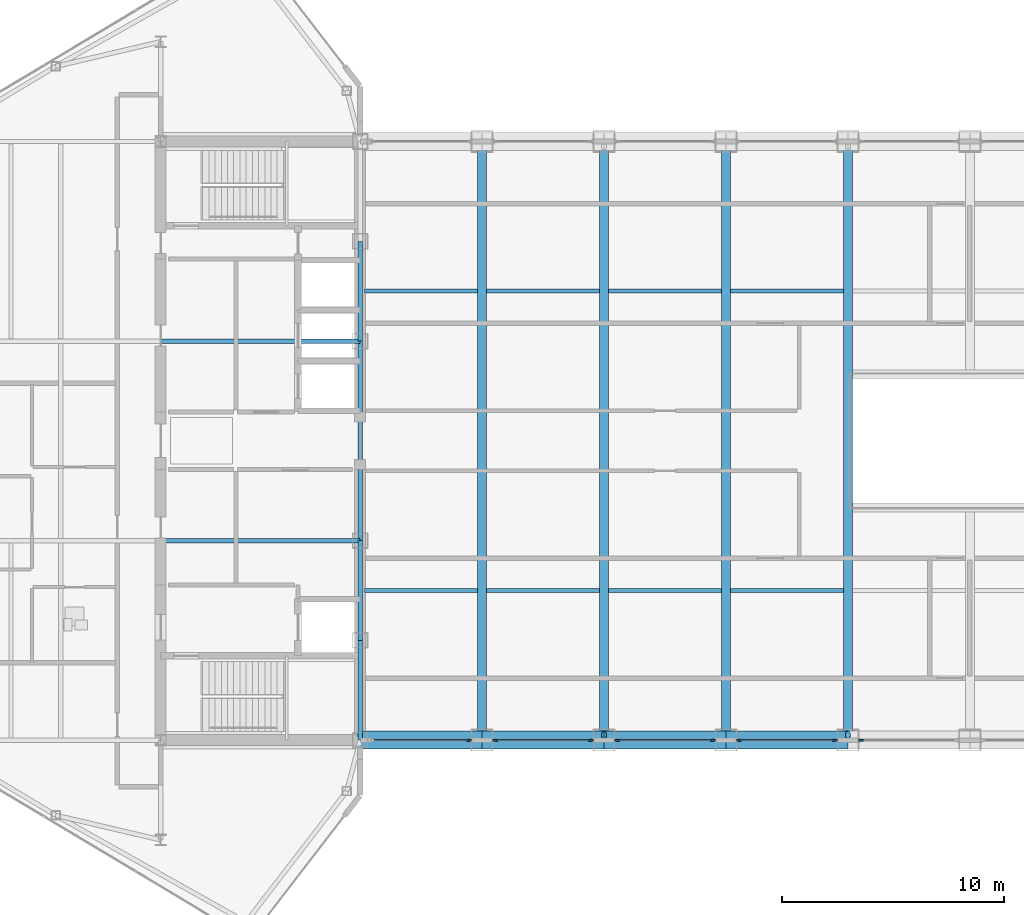
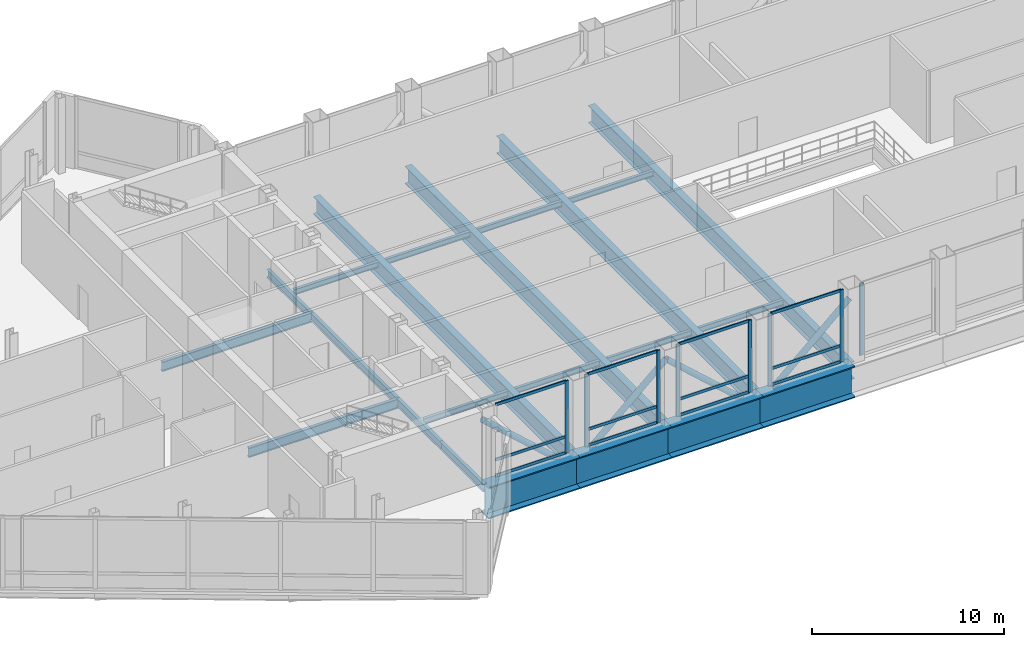
# One storey, part 10 of 30: 24 members, 22 beams, 5 elements without a shape of their own.
"""IFC4 building model written with IfcOpenShell, lengths in metres."""

from ifc_helpers import new_model, si_unit, direction, frame, origin, origin_2d, place, context, subcontext, project, spatial, rectangle, hollow_circle, i_section, extrude, source, transform, mapped, material, layer, layer_set, material_profile, profile_set, type_object, type_shapes, element, aggregate, save


model = new_model("IFC4")

# Units and contexts
model_context = context("Model", 3, precision=1e-05, world=origin(), true_north=direction((0.0, 1.0)))
body_context = subcontext(model_context, "Body", "Model", "MODEL_VIEW")
ifc_project = project(units=[si_unit("LENGTHUNIT", "METRE"), si_unit("AREAUNIT", "SQUARE_METRE"), si_unit("VOLUMEUNIT", "CUBIC_METRE"), si_unit("PLANEANGLEUNIT", "RADIAN"), si_unit("MASSUNIT", "GRAM", prefix="KILO")], contexts=[model_context])

# Site, building, storey
site_placement = place(None, origin())
site = spatial("IfcSite", under=ifc_project, at=site_placement, CompositionType="ELEMENT")
building_placement = place(site_placement, origin())
building = spatial("IfcBuilding", under=site, at=building_placement, Name="Seokmaru Belvedere", CompositionType="ELEMENT")
storey_placement = place(building_placement, frame((0.0, 0.0, 234.60009765625)))
storey = spatial("IfcBuildingStorey", under=building, at=storey_placement, Name="L62", CompositionType="ELEMENT", Elevation=234.60009765625)

# Beams
ifc_material_1 = material(Name="Steel SM355 (355 MPa)", Category="steel")
ifc_material_profile_1 = material_profile(ifc_material_1, i_section(OverallWidth=0.199951171875, OverallDepth=0.5, WebThickness=0.010009765625, FlangeThickness=0.01611328125, at=origin_2d()), Name="H-500x200x10x16")
ifc_profile_set_1 = profile_set([ifc_material_profile_1], Name="Steel SM355 (355 MPa)")
beam_type_1 = type_object("IfcBeamType", Name="Perimeter Spandrel Beam H-500", PredefinedType="SPANDREL", material=ifc_profile_set_1)
shared_shape_1 = source(origin(), body_context, "Body", "SweptSolid", [
    extrude(i_section(OverallWidth=0.199951171875, OverallDepth=0.5, WebThickness=0.010009765625, FlangeThickness=0.01611328125, at=origin_2d()), origin(), (0.0, 0.0, 1.0), 4.5),
])
for number, where, z_axis, x_axis, name in (
    (1, (-27.5, -13.5, -0.510009765625), (0.0, 1.0, 0.0), (-1.0, 0.0, 0.0), "L62 W Portal Spine Spandrel 1"),
    (2, (-27.5, -9.0, -0.510009765625), (0.0, 1.0, 0.0), (-1.0, 0.0, 0.0), "L62 W Portal Spine Spandrel 2"),
    (3, (-27.5, 4.5, -0.510009765625), (0.0, 1.0, 0.0), (-1.0, 0.0, 0.0), "L62 W Portal Spine Spandrel 4"),
):
    element("IfcBeam", number, at=place(storey_placement, frame(where, z_axis=z_axis, x_axis=x_axis)), inside=storey, type_object=beam_type_1, Name=name, PredefinedType="SPANDREL", context=body_context, shape_type="MappedRepresentation", body=[
        mapped(shared_shape_1, transform((0.0, 0.0, 0.0), scale=1.0)),
    ])
shared_shape_2 = source(origin(), body_context, "Body", "SweptSolid", [
    extrude(i_section(OverallWidth=0.199951171875, OverallDepth=0.5, WebThickness=0.010009765625, FlangeThickness=0.01611328125, at=origin_2d()), origin(), (0.0, 0.0, 1.0), 9.0),
])
type_shapes(beam_type_1, [shared_shape_1, shared_shape_2])
beam_placement = place(storey_placement, frame((-27.5, -4.5, -0.510009765625), z_axis=(0.0, 1.0, 0.0), x_axis=(-1.0, 0.0, 0.0)))
element("IfcBeam", 4, at=beam_placement, inside=storey, type_object=beam_type_1, Name="L62 W Portal Spine Spandrel 3", PredefinedType="SPANDREL", context=body_context, shape_type="MappedRepresentation", body=[
    mapped(shared_shape_2, transform((0.0, 0.0, 0.0), scale=1.0)),
])
ifc_material_profile_2 = material_profile(ifc_material_1, i_section(OverallWidth=0.199951171875, OverallDepth=0.60009765625, WebThickness=0.010986328125, FlangeThickness=0.01708984375, at=origin_2d()), Name="H-600x200x11x17")
ifc_profile_set_2 = profile_set([ifc_material_profile_2], Name="Steel SM355 (355 MPa)")
beam_type_2 = type_object("IfcBeamType", Name="Primary Floor Girder H-600", PredefinedType="BEAM", material=ifc_profile_set_2)
shared_shape_3 = source(origin(), body_context, "Body", "SweptSolid", [
    extrude(i_section(OverallWidth=0.199951171875, OverallDepth=0.60009765625, WebThickness=0.010986328125, FlangeThickness=0.01708984375, at=origin_2d()), origin(), (0.0, 0.0, 1.0), 9.0),
])
type_shapes(beam_type_2, [shared_shape_3])
for number, where, z_axis, x_axis, name in (
    (5, (-36.5, -4.5, -0.56005859375), (1.0, 0.0, 0.0), (0.0, 1.0, 0.0), "L62 W Core Tie Girder 2"),
    (6, (-36.5, 4.5, -0.56005859375), (1.0, 0.0, 0.0), (0.0, 1.0, 0.0), "L62 W Core Tie Girder 3"),
):
    element("IfcBeam", number, at=place(storey_placement, frame(where, z_axis=z_axis, x_axis=x_axis)), inside=storey, type_object=beam_type_2, Name=name, PredefinedType="BEAM", context=body_context, shape_type="MappedRepresentation", body=[
        mapped(shared_shape_3, transform((0.0, 0.0, 0.0), scale=1.0)),
    ])
ifc_material_2 = material(Name="Steel HSA650 (650 MPa)", Category="steel")
ifc_material_profile_3 = material_profile(ifc_material_2, i_section(OverallWidth=0.800048828125, OverallDepth=2.0, WebThickness=0.0400390625, FlangeThickness=0.070068359375, at=origin_2d()), Name="BH-2000x800x40x70")
ifc_profile_set_3 = profile_set([ifc_material_profile_3], Name="Steel HSA650 (650 MPa)")
beam_type_3 = type_object("IfcBeamType", Name="Sky-Gate Transfer Truss Chord Girder BH-2000", PredefinedType="BEAM", material=ifc_profile_set_3)
shared_shape_4 = source(origin(), body_context, "Body", "SweptSolid", [
    extrude(i_section(OverallWidth=0.800048828125, OverallDepth=2.0, WebThickness=0.0400390625, FlangeThickness=0.070068359375, at=origin_2d()), origin(), (0.0, 0.0, 1.0), 5.5),
])
type_shapes(beam_type_3, [shared_shape_4])
for number, where, z_axis, x_axis, name in (
    (7, (-27.5, -13.5, -1.260009765625), (1.0, 0.0, 0.0), (0.0, 1.0, 0.0), "L62 Sky-Gate Transfer Truss Chord S-02"),
    (8, (-22.0, -13.5, -1.260009765625), (1.0, 0.0, 0.0), (0.0, 1.0, 0.0), "L62 Sky-Gate Transfer Truss Chord S-03"),
    (9, (-16.5, -13.5, -1.260009765625), (1.0, 0.0, 0.0), (0.0, 1.0, 0.0), "L62 Sky-Gate Transfer Truss Chord S-04"),
    (10, (-11.0, -13.5, -1.260009765625), (1.0, 0.0, 0.0), (0.0, 1.0, 0.0), "L62 Sky-Gate Transfer Truss Chord S-05"),
):
    element("IfcBeam", number, at=place(storey_placement, frame(where, z_axis=z_axis, x_axis=x_axis)), inside=storey, type_object=beam_type_3, Name=name, PredefinedType="BEAM", context=body_context, shape_type="MappedRepresentation", body=[
        mapped(shared_shape_4, transform((0.0, 0.0, 0.0), scale=1.0)),
    ])
ifc_material_profile_4 = material_profile(ifc_material_1, i_section(OverallWidth=0.39990234375, OverallDepth=1.10009765625, WebThickness=0.02001953125, FlangeThickness=0.033935546875, at=origin_2d()), Name="BH-1100x400x20x34")
ifc_profile_set_4 = profile_set([ifc_material_profile_4], Name="Steel SM355 (355 MPa)")
beam_type_4 = type_object("IfcBeamType", Name="Sky-Gate Transverse Girder BH-1100", PredefinedType="BEAM", material=ifc_profile_set_4)
shared_shape_5 = source(origin(), body_context, "Body", "SweptSolid", [
    extrude(i_section(OverallWidth=0.39990234375, OverallDepth=1.10009765625, WebThickness=0.02001953125, FlangeThickness=0.033935546875, at=origin_2d()), origin(), (0.0, 0.0, 1.0), 27.0),
])
type_shapes(beam_type_4, [shared_shape_5])
for number, where, z_axis, x_axis, name in (
    (11, (-22.0, -13.5, -0.81005859375), (0.0, 1.0, 0.0), (-1.0, 0.0, 0.0), "L62 Sky-Gate Transverse Girder 01"),
    (12, (-16.5, -13.5, -0.81005859375), (0.0, 1.0, 0.0), (-1.0, 0.0, 0.0), "L62 Sky-Gate Transverse Girder 02"),
    (13, (-11.0, -13.5, -0.81005859375), (0.0, 1.0, 0.0), (-1.0, 0.0, 0.0), "L62 Sky-Gate Transverse Girder 03"),
    (14, (-5.5, -13.5, -0.81005859375), (0.0, 1.0, 0.0), (-1.0, 0.0, 0.0), "L62 Sky-Gate Transverse Girder 04"),
):
    element("IfcBeam", number, at=place(storey_placement, frame(where, z_axis=z_axis, x_axis=x_axis)), inside=storey, type_object=beam_type_4, Name=name, PredefinedType="BEAM", context=body_context, shape_type="MappedRepresentation", body=[
        mapped(shared_shape_5, transform((0.0, 0.0, 0.0), scale=1.0)),
    ])
ifc_material_profile_5 = material_profile(ifc_material_1, i_section(OverallWidth=0.175048828125, OverallDepth=0.35009765625, WebThickness=0.007080078125, FlangeThickness=0.010986328125, at=origin_2d()), Name="H-350x175x7x11")
ifc_profile_set_5 = profile_set([ifc_material_profile_5], Name="Steel SM355 (355 MPa)")
beam_type_5 = type_object("IfcBeamType", Name="Secondary Floor Joist H-300", PredefinedType="JOIST", material=ifc_profile_set_5)
shared_shape_6 = source(origin(), body_context, "Body", "SweptSolid", [
    extrude(i_section(OverallWidth=0.175048828125, OverallDepth=0.35009765625, WebThickness=0.007080078125, FlangeThickness=0.010986328125, at=origin_2d()), origin(), (0.0, 0.0, 1.0), 5.08984375),
])
type_shapes(beam_type_5, [shared_shape_6])
for number, where, z_axis, x_axis, name in (
    (15, (-27.294921875, -6.75, -0.43505859375), (1.0, 0.0, 0.0), (0.0, 1.0, 0.0), "L62 Sky-Gate Secondary Joist S-01"),
    (16, (-21.794921875, -6.75, -0.43505859375), (1.0, 0.0, 0.0), (0.0, 1.0, 0.0), "L62 Sky-Gate Secondary Joist S-02"),
    (17, (-16.294921875, -6.75, -0.43505859375), (1.0, 0.0, 0.0), (0.0, 1.0, 0.0), "L62 Sky-Gate Secondary Joist S-03"),
    (18, (-10.794921875, -6.75, -0.43505859375), (1.0, 0.0, 0.0), (0.0, 1.0, 0.0), "L62 Sky-Gate Secondary Joist S-04"),
    (19, (-27.294921875, 6.75, -0.43505859375), (1.0, 0.0, 0.0), (0.0, 1.0, 0.0), "L62 Sky-Gate Secondary Joist N-01"),
    (20, (-21.794921875, 6.75, -0.43505859375), (1.0, 0.0, 0.0), (0.0, 1.0, 0.0), "L62 Sky-Gate Secondary Joist N-02"),
    (21, (-16.294921875, 6.75, -0.43505859375), (1.0, 0.0, 0.0), (0.0, 1.0, 0.0), "L62 Sky-Gate Secondary Joist N-03"),
    (22, (-10.794921875, 6.75, -0.43505859375), (1.0, 0.0, 0.0), (0.0, 1.0, 0.0), "L62 Sky-Gate Secondary Joist N-04"),
):
    element("IfcBeam", number, at=place(storey_placement, frame(where, z_axis=z_axis, x_axis=x_axis)), inside=storey, type_object=beam_type_5, Name=name, PredefinedType="JOIST", context=body_context, shape_type="MappedRepresentation", body=[
        mapped(shared_shape_6, transform((0.0, 0.0, 0.0), scale=1.0)),
    ])

# Members
ifc_material_profile_6 = material_profile(ifc_material_2, hollow_circle(Radius=0.177734375, WallThickness=0.0126953125, at=origin_2d()), Name="CHS-355.6x12.7")
ifc_profile_set_6 = profile_set([ifc_material_profile_6], Name="Steel HSA650 (650 MPa)")
member_type_1 = type_object("IfcMemberType", Name="Sky-Gate Transfer Truss Secondary Brace CHS-356", PredefinedType="BRACE", material=ifc_profile_set_6)
shared_shape_7 = source(origin(), body_context, "Body", "SweptSolid", [
    extrude(hollow_circle(Radius=0.177734375, WallThickness=0.0126953125, at=origin_2d()), origin(), (0.0, 0.0, 1.0), 7.392822265625),
])
type_shapes(member_type_1, [shared_shape_7])
for number, where, z_axis, x_axis, name in (
    (23, (-27.5, -13.27099609375, 3.679931640625), (0.743970307126, 0.0, -0.668212677308), (0.0, 1.0, 0.0), "L62 Sky-Gate Transfer Truss Web Diagonal S-01"),
    (24, (-22.0, -13.27099609375, -1.260009765625), (0.743970307126, 0.0, 0.668212677308), (0.0, 1.0, 0.0), "L62 Sky-Gate Transfer Truss Web Diagonal S-02"),
    (25, (-16.5, -13.27099609375, 3.679931640625), (0.743970307126, 0.0, -0.668212677308), (0.0, 1.0, 0.0), "L62 Sky-Gate Transfer Truss Web Diagonal S-03"),
    (26, (-11.0, -13.27099609375, -1.260009765625), (0.743970307126, 0.0, 0.668212677308), (0.0, 1.0, 0.0), "L62 Sky-Gate Transfer Truss Web Diagonal S-04"),
):
    element("IfcMember", number, at=place(storey_placement, frame(where, z_axis=z_axis, x_axis=x_axis)), inside=storey, type_object=member_type_1, Name=name, PredefinedType="BRACE", context=body_context, shape_type="MappedRepresentation", body=[
        mapped(shared_shape_7, transform((0.0, 0.0, 0.0), scale=1.0)),
    ])

# Curtain wall, members
ifc_material_3 = material(Name="Bronze Triple Insulating Glass", Category="glass")
ifc_layer = layer(ifc_material_3, 0.219970703125)
ifc_layer_set = layer_set([ifc_layer], Name="Bronze Triple Insulating Glass")
curtain_wall_type = type_object("IfcCurtainWallType", Name="Sky-Gate Bridge Panorama Curtain Wall System CW-6", PredefinedType="NOTDEFINED", material=ifc_layer_set)
curtain_wall_1_placement = place(storey_placement, origin())
curtain_wall_1 = element("IfcCurtainWall", 27, at=curtain_wall_1_placement, inside=storey, type_object=curtain_wall_type, Name="L62 Curtain Wall BR_S01", PredefinedType="NOTDEFINED")
ifc_material_4 = material(Name="Anodised Bronze Aluminium", Category="aluminium")
ifc_material_profile_7 = material_profile(ifc_material_4, rectangle(XDim=0.074951171875, YDim=0.179931640625, at=origin_2d()), Name="CW-T-75x180")
ifc_profile_set_7 = profile_set([ifc_material_profile_7], Name="Anodised Bronze Aluminium")
member_type_2 = type_object("IfcMemberType", Name="Bronze Unitised Transom 75x180", PredefinedType="USERDEFINED", material=ifc_profile_set_7)
shared_shape_8 = source(origin(), body_context, "Body", "SweptSolid", [
    extrude(rectangle(XDim=0.074951171875, YDim=0.179931640625, at=origin_2d()), origin(), (0.0, 0.0, 1.0), 4.240234375),
])
type_shapes(member_type_2, [shared_shape_8])
member_1_placement = place(storey_placement, frame((-26.8701171875, -13.5, 0.037353515625), z_axis=(1.0, 0.0, 0.0), x_axis=(0.0, 1.0, 0.0)))
member_1 = element("IfcMember", 28, at=member_1_placement, type_object=member_type_2, Name="CW:L62:BR_S01 Continuous Transom 1", ObjectType="TRANSOM", PredefinedType="USERDEFINED", context=body_context, shape_type="MappedRepresentation", body=[
    mapped(shared_shape_8, transform((0.0, 0.0, 0.0), scale=1.0)),
])
member_2_placement = place(storey_placement, frame((-26.8701171875, -13.5, 4.54248046875), z_axis=(1.0, 0.0, 0.0), x_axis=(0.0, 1.0, 0.0)))
member_2 = element("IfcMember", 29, at=member_2_placement, type_object=member_type_2, Name="CW:L62:BR_S01 Continuous Transom 2", ObjectType="TRANSOM", PredefinedType="USERDEFINED", context=body_context, shape_type="MappedRepresentation", body=[
    mapped(shared_shape_8, transform((0.0, 0.0, 0.0), scale=1.0)),
])
member_3_placement = place(storey_placement, frame((-26.8701171875, -13.5, 1.0498046875), z_axis=(1.0, 0.0, 0.0), x_axis=(0.0, 1.0, 0.0)))
member_3 = element("IfcMember", 30, at=member_3_placement, type_object=member_type_2, Name="CW:L62:BR_S01 Spandrel Transom 1", ObjectType="TRANSOM", PredefinedType="USERDEFINED", context=body_context, shape_type="MappedRepresentation", body=[
    mapped(shared_shape_8, transform((0.0, 0.0, 0.0), scale=1.0)),
])

curtain_wall_2_placement = place(storey_placement, origin())
curtain_wall_2 = element("IfcCurtainWall", 31, at=curtain_wall_2_placement, inside=storey, type_object=curtain_wall_type, Name="L62 Curtain Wall BR_S02", PredefinedType="NOTDEFINED")
member_4_placement = place(storey_placement, frame((-21.3701171875, -13.5, 0.037353515625), z_axis=(1.0, 0.0, 0.0), x_axis=(0.0, 1.0, 0.0)))
member_4 = element("IfcMember", 32, at=member_4_placement, type_object=member_type_2, Name="CW:L62:BR_S02 Continuous Transom 1", ObjectType="TRANSOM", PredefinedType="USERDEFINED", context=body_context, shape_type="MappedRepresentation", body=[
    mapped(shared_shape_8, transform((0.0, 0.0, 0.0), scale=1.0)),
])
member_5_placement = place(storey_placement, frame((-21.3701171875, -13.5, 4.54248046875), z_axis=(1.0, 0.0, 0.0), x_axis=(0.0, 1.0, 0.0)))
member_5 = element("IfcMember", 33, at=member_5_placement, type_object=member_type_2, Name="CW:L62:BR_S02 Continuous Transom 2", ObjectType="TRANSOM", PredefinedType="USERDEFINED", context=body_context, shape_type="MappedRepresentation", body=[
    mapped(shared_shape_8, transform((0.0, 0.0, 0.0), scale=1.0)),
])
member_6_placement = place(storey_placement, frame((-21.3701171875, -13.5, 1.0498046875), z_axis=(1.0, 0.0, 0.0), x_axis=(0.0, 1.0, 0.0)))
member_6 = element("IfcMember", 34, at=member_6_placement, type_object=member_type_2, Name="CW:L62:BR_S02 Spandrel Transom 1", ObjectType="TRANSOM", PredefinedType="USERDEFINED", context=body_context, shape_type="MappedRepresentation", body=[
    mapped(shared_shape_8, transform((0.0, 0.0, 0.0), scale=1.0)),
])

curtain_wall_3_placement = place(storey_placement, origin())
curtain_wall_3 = element("IfcCurtainWall", 35, at=curtain_wall_3_placement, inside=storey, type_object=curtain_wall_type, Name="L62 Curtain Wall BR_S03", PredefinedType="NOTDEFINED")
member_7_placement = place(storey_placement, frame((-15.8701171875, -13.5, 0.037353515625), z_axis=(1.0, 0.0, 0.0), x_axis=(0.0, 1.0, 0.0)))
member_7 = element("IfcMember", 36, at=member_7_placement, type_object=member_type_2, Name="CW:L62:BR_S03 Continuous Transom 1", ObjectType="TRANSOM", PredefinedType="USERDEFINED", context=body_context, shape_type="MappedRepresentation", body=[
    mapped(shared_shape_8, transform((0.0, 0.0, 0.0), scale=1.0)),
])
member_8_placement = place(storey_placement, frame((-15.8701171875, -13.5, 4.54248046875), z_axis=(1.0, 0.0, 0.0), x_axis=(0.0, 1.0, 0.0)))
member_8 = element("IfcMember", 37, at=member_8_placement, type_object=member_type_2, Name="CW:L62:BR_S03 Continuous Transom 2", ObjectType="TRANSOM", PredefinedType="USERDEFINED", context=body_context, shape_type="MappedRepresentation", body=[
    mapped(shared_shape_8, transform((0.0, 0.0, 0.0), scale=1.0)),
])
member_9_placement = place(storey_placement, frame((-15.8701171875, -13.5, 1.0498046875), z_axis=(1.0, 0.0, 0.0), x_axis=(0.0, 1.0, 0.0)))
member_9 = element("IfcMember", 38, at=member_9_placement, type_object=member_type_2, Name="CW:L62:BR_S03 Spandrel Transom 1", ObjectType="TRANSOM", PredefinedType="USERDEFINED", context=body_context, shape_type="MappedRepresentation", body=[
    mapped(shared_shape_8, transform((0.0, 0.0, 0.0), scale=1.0)),
])

curtain_wall_4_placement = place(storey_placement, origin())
curtain_wall_4 = element("IfcCurtainWall", 39, at=curtain_wall_4_placement, inside=storey, type_object=curtain_wall_type, Name="L62 Curtain Wall BR_S04", PredefinedType="NOTDEFINED")
member_10_placement = place(storey_placement, frame((-10.3701171875, -13.5, 0.037353515625), z_axis=(1.0, 0.0, 0.0), x_axis=(0.0, 1.0, 0.0)))
member_10 = element("IfcMember", 40, at=member_10_placement, type_object=member_type_2, Name="CW:L62:BR_S04 Continuous Transom 1", ObjectType="TRANSOM", PredefinedType="USERDEFINED", context=body_context, shape_type="MappedRepresentation", body=[
    mapped(shared_shape_8, transform((0.0, 0.0, 0.0), scale=1.0)),
])
member_11_placement = place(storey_placement, frame((-10.3701171875, -13.5, 4.54248046875), z_axis=(1.0, 0.0, 0.0), x_axis=(0.0, 1.0, 0.0)))
member_11 = element("IfcMember", 41, at=member_11_placement, type_object=member_type_2, Name="CW:L62:BR_S04 Continuous Transom 2", ObjectType="TRANSOM", PredefinedType="USERDEFINED", context=body_context, shape_type="MappedRepresentation", body=[
    mapped(shared_shape_8, transform((0.0, 0.0, 0.0), scale=1.0)),
])
member_12_placement = place(storey_placement, frame((-10.3701171875, -13.5, 1.0498046875), z_axis=(1.0, 0.0, 0.0), x_axis=(0.0, 1.0, 0.0)))
member_12 = element("IfcMember", 42, at=member_12_placement, type_object=member_type_2, Name="CW:L62:BR_S04 Spandrel Transom 1", ObjectType="TRANSOM", PredefinedType="USERDEFINED", context=body_context, shape_type="MappedRepresentation", body=[
    mapped(shared_shape_8, transform((0.0, 0.0, 0.0), scale=1.0)),
])

# Member
ifc_material_profile_8 = material_profile(ifc_material_4, rectangle(XDim=0.080078125, YDim=0.219970703125, at=origin_2d()), Name="CW-M-80x220")
ifc_profile_set_8 = profile_set([ifc_material_profile_8], Name="Anodised Bronze Aluminium")
member_type_3 = type_object("IfcMemberType", Name="Bronze Unitised Mullion 80x220", PredefinedType="MULLION", material=ifc_profile_set_8)
shared_shape_9 = source(origin(), body_context, "Body", "SweptSolid", [
    extrude(rectangle(XDim=0.080078125, YDim=0.219970703125, at=origin_2d()), origin(), (0.0, 0.0, 1.0), 4.579833984375),
])
type_shapes(member_type_3, [shared_shape_9])
member_13_placement = place(storey_placement, frame((-22.590087890625, -13.5, 0.0), z_axis=(0.0, 0.0, 1.0), x_axis=(0.0, 1.0, 0.0)))
member_13 = element("IfcMember", 43, at=member_13_placement, type_object=member_type_3, Name="CW:L62:BR_S01 Mullion 2", PredefinedType="MULLION", context=body_context, shape_type="MappedRepresentation", body=[
    mapped(shared_shape_9, transform((0.0, 0.0, 0.0), scale=1.0)),
])

aggregate(curtain_wall_1, [member_13, member_1, member_2, member_3])

member_14_placement = place(storey_placement, frame((-21.409912109375, -13.5, 0.0), z_axis=(0.0, 0.0, 1.0), x_axis=(0.0, 1.0, 0.0)))
member_14 = element("IfcMember", 44, at=member_14_placement, type_object=member_type_3, Name="CW:L62:BR_S02 Mullion 1", PredefinedType="MULLION", context=body_context, shape_type="MappedRepresentation", body=[
    mapped(shared_shape_9, transform((0.0, 0.0, 0.0), scale=1.0)),
])

member_15_placement = place(storey_placement, frame((-17.090087890625, -13.5, 0.0), z_axis=(0.0, 0.0, 1.0), x_axis=(0.0, 1.0, 0.0)))
member_15 = element("IfcMember", 45, at=member_15_placement, type_object=member_type_3, Name="CW:L62:BR_S02 Mullion 2", PredefinedType="MULLION", context=body_context, shape_type="MappedRepresentation", body=[
    mapped(shared_shape_9, transform((0.0, 0.0, 0.0), scale=1.0)),
])

aggregate(curtain_wall_2, [member_14, member_15, member_4, member_5, member_6])

member_16_placement = place(storey_placement, frame((-15.909912109375, -13.5, 0.0), z_axis=(0.0, 0.0, 1.0), x_axis=(0.0, 1.0, 0.0)))
member_16 = element("IfcMember", 46, at=member_16_placement, type_object=member_type_3, Name="CW:L62:BR_S03 Mullion 1", PredefinedType="MULLION", context=body_context, shape_type="MappedRepresentation", body=[
    mapped(shared_shape_9, transform((0.0, 0.0, 0.0), scale=1.0)),
])

member_17_placement = place(storey_placement, frame((-11.590087890625, -13.5, 0.0), z_axis=(0.0, 0.0, 1.0), x_axis=(0.0, 1.0, 0.0)))
member_17 = element("IfcMember", 47, at=member_17_placement, type_object=member_type_3, Name="CW:L62:BR_S03 Mullion 2", PredefinedType="MULLION", context=body_context, shape_type="MappedRepresentation", body=[
    mapped(shared_shape_9, transform((0.0, 0.0, 0.0), scale=1.0)),
])

aggregate(curtain_wall_3, [member_16, member_17, member_7, member_8, member_9])

member_18_placement = place(storey_placement, frame((-10.409912109375, -13.5, 0.0), z_axis=(0.0, 0.0, 1.0), x_axis=(0.0, 1.0, 0.0)))
member_18 = element("IfcMember", 48, at=member_18_placement, type_object=member_type_3, Name="CW:L62:BR_S04 Mullion 1", PredefinedType="MULLION", context=body_context, shape_type="MappedRepresentation", body=[
    mapped(shared_shape_9, transform((0.0, 0.0, 0.0), scale=1.0)),
])

member_19_placement = place(storey_placement, frame((-6.090087890625, -13.5, 0.0), z_axis=(0.0, 0.0, 1.0), x_axis=(0.0, 1.0, 0.0)))
member_19 = element("IfcMember", 49, at=member_19_placement, type_object=member_type_3, Name="CW:L62:BR_S04 Mullion 2", PredefinedType="MULLION", context=body_context, shape_type="MappedRepresentation", body=[
    mapped(shared_shape_9, transform((0.0, 0.0, 0.0), scale=1.0)),
])

aggregate(curtain_wall_4, [member_18, member_19, member_10, member_11, member_12])

# Curtain wall, member
curtain_wall_5_placement = place(storey_placement, origin())
curtain_wall_5 = element("IfcCurtainWall", 50, at=curtain_wall_5_placement, inside=storey, type_object=curtain_wall_type, Name="L62 Curtain Wall BR_S05", PredefinedType="NOTDEFINED")
member_20_placement = place(storey_placement, frame((-4.909912109375, -13.5, 0.0), z_axis=(0.0, 0.0, 1.0), x_axis=(0.0, 1.0, 0.0)))
member_20 = element("IfcMember", 51, at=member_20_placement, type_object=member_type_3, Name="CW:L62:BR_S05 Mullion 1", PredefinedType="MULLION", context=body_context, shape_type="MappedRepresentation", body=[
    mapped(shared_shape_9, transform((0.0, 0.0, 0.0), scale=1.0)),
])
aggregate(curtain_wall_5, [member_20])

save(model, "model.ifc")
